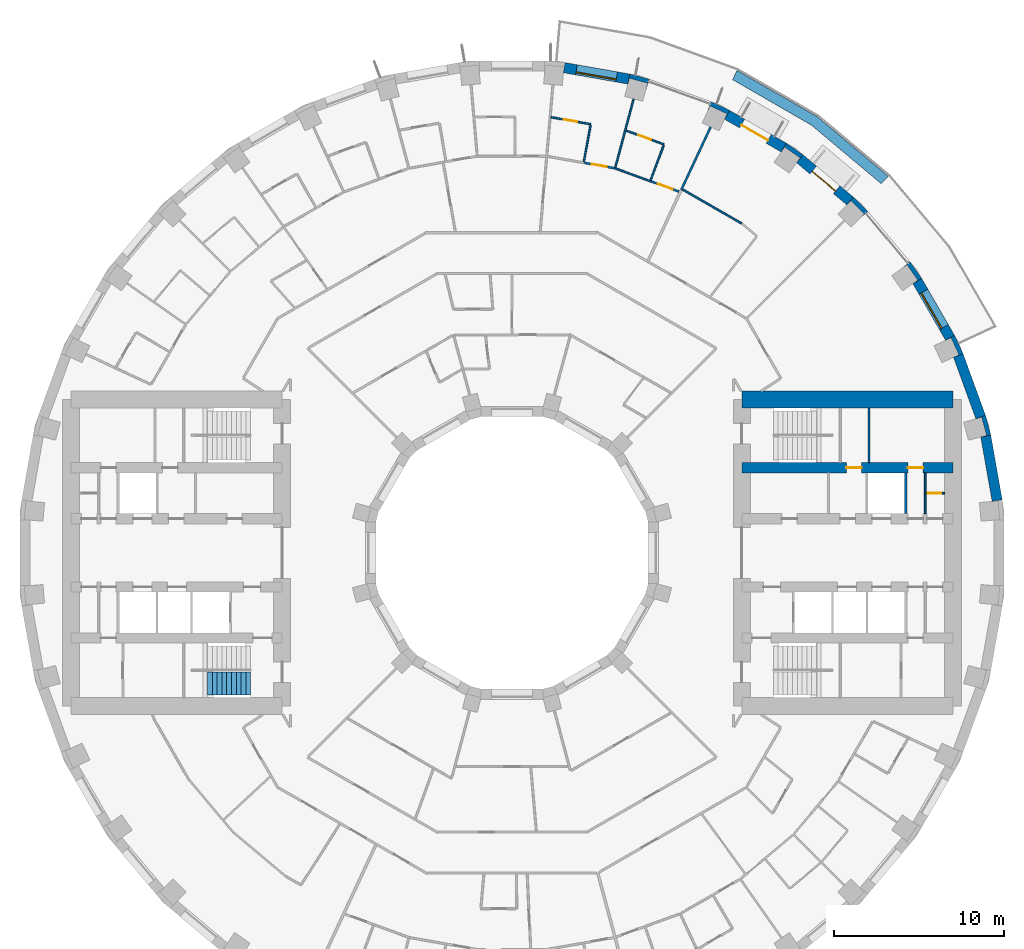
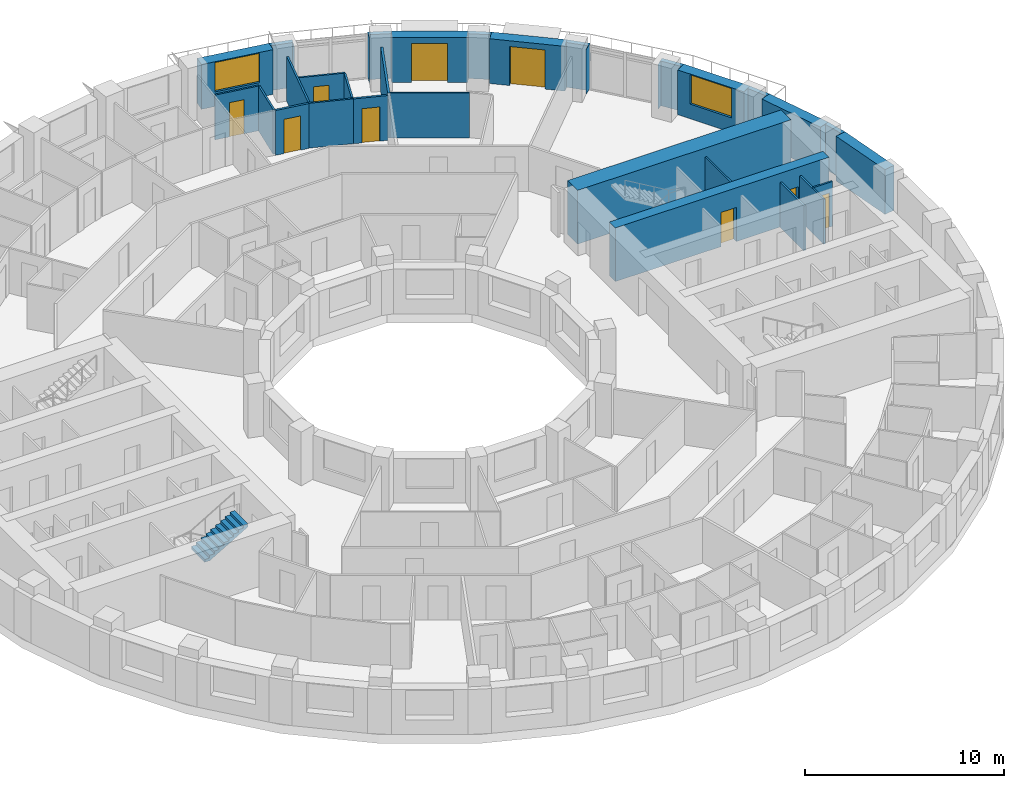
# One storey, part 13 of 15: 30 walls, 9 doors, 2 windows, 1 stair flight, 11 openings, 1 element without a shape of its own.
"""IFC4 building model written with IfcOpenShell, lengths in metres."""

import ifcopenshell
import ifcopenshell.guid

model = None  # the IFC model being written
_history = None  # IfcOwnerHistory: only IFC2X3 demands one
_inside = {}  # id of a spatial element -> (the spatial element, [elements in it])
_under = {}  # id of a project, library or spatial element -> (it, [spatial elements below it])
_declared = {}  # id of a project -> (the project, [libraries it declares])
_typed = {}  # id of a type object -> (the type object, [elements of that type])
_made_of = {}  # id of a material, layer set ... -> (it, [elements and type objects made of it])


def new_model(schema):
    """Start an empty IFC model of exactly this schema.

    Asked for "IFC4X3", IfcOpenShell would pick the latest addendum, in which some entities
    have other attributes; the version numbers below select the first issue.
    IFC2X3 requires an IfcOwnerHistory on every rooted entity: one is made here for all.
    """
    global model, _history
    if schema == "IFC4X3":
        model = ifcopenshell.file(schema_version=(4, 3, 0, 0))
    else:
        model = ifcopenshell.file(schema=schema)
    _inside.clear()
    _under.clear()
    _declared.clear()
    _typed.clear()
    _made_of.clear()
    _history = None
    if model.schema == "IFC2X3":
        org = make("IfcOrganization", Name="unknown")
        user = make(
            "IfcPersonAndOrganization",
            ThePerson=make("IfcPerson", FamilyName="unknown"),
            TheOrganization=org,
        )
        app = make(
            "IfcApplication",
            ApplicationDeveloper=org,
            Version="unknown",
            ApplicationFullName="unknown",
            ApplicationIdentifier="unknown",
        )
        _history = make(
            "IfcOwnerHistory",
            OwningUser=user,
            OwningApplication=app,
            ChangeAction="ADDED",
            CreationDate=0,
        )
    return model


def make(cls, **values):
    """One entity of the class cls with the attributes given. An attribute that is None is left unset."""
    return model.create_entity(
        cls, **{name: value for name, value in values.items() if value is not None}
    )


def rooted(cls, **values):
    """An entity with a GlobalId (a new one), such as an element, a storey or a relation."""
    return make(cls, GlobalId=ifcopenshell.guid.new(), OwnerHistory=_history, **values)


def si_unit(unit_type, name, prefix=None):
    """IfcSIUnit, for example si_unit("LENGTHUNIT", "METRE", prefix="MILLI")."""
    return make("IfcSIUnit", UnitType=unit_type, Prefix=prefix, Name=name)


def assignment(units):
    """IfcUnitAssignment: the units of a project."""
    return None if units is None else make("IfcUnitAssignment", Units=units)


def point(xyz):
    """IfcCartesianPoint."""
    return None if xyz is None else make("IfcCartesianPoint", Coordinates=xyz)


def direction(xyz):
    """IfcDirection."""
    return None if xyz is None else make("IfcDirection", DirectionRatios=xyz)


def frame(location, z_axis=None, x_axis=None):
    """IfcAxis2Placement3D, a coordinate frame: its origin and axes. An axis left out is left unset."""
    return make(
        "IfcAxis2Placement3D",
        Location=point(location),
        Axis=direction(z_axis),
        RefDirection=direction(x_axis),
    )


def frame_2d(location, x_axis=None):
    """IfcAxis2Placement2D, a coordinate frame in the plane: its origin and x axis."""
    return make(
        "IfcAxis2Placement2D", Location=point(location), RefDirection=direction(x_axis)
    )


def origin():
    """The frame at (0, 0, 0) with its axes left unset."""
    return frame((0.0, 0.0, 0.0))


def place(relative_to, where):
    """IfcLocalPlacement: puts the frame where relative to a parent placement (None: the world)."""
    return make(
        "IfcLocalPlacement", PlacementRelTo=relative_to, RelativePlacement=where
    )


def context(
    kind, dimensions, precision=None, world=None, true_north=None, identifier=None
):
    """IfcGeometricRepresentationContext, for example the 3D "Model" context."""
    return make(
        "IfcGeometricRepresentationContext",
        ContextIdentifier=identifier,
        ContextType=kind,
        CoordinateSpaceDimension=dimensions,
        Precision=precision,
        WorldCoordinateSystem=world,
        TrueNorth=true_north,
    )


def subcontext(parent, identifier, kind, view, scale=None):
    """IfcGeometricRepresentationSubContext, for example "Body" below "Model"."""
    return make(
        "IfcGeometricRepresentationSubContext",
        ContextIdentifier=identifier,
        ContextType=kind,
        ParentContext=parent,
        TargetScale=scale,
        TargetView=view,
    )


def project(units=None, contexts=None):
    """IfcProject with its units and contexts."""
    return rooted(
        "IfcProject",
        Name="project",
        RepresentationContexts=contexts,
        UnitsInContext=assignment(units),
    )


def spatial(cls, under=None, at=None, **own):
    """A site, building, storey or space (cls), placed at a placement, below another one or the project."""
    s = rooted(cls, ObjectPlacement=at, **own)
    if under is not None:
        _under.setdefault(under.id(), (under, []))[1].append(s)
    return s


def polyline(points):
    """IfcPolyline through the points."""
    return make("IfcPolyline", Points=[point(p) for p in points])


def profile(cls, at=None, kind="AREA", **sizes):
    """A parametric profile (cls). Its sizes go by their IFC names, for example OverallWidth=200.0."""
    return make(cls, ProfileType=kind, Position=at, **sizes)


def rectangle(**sizes):
    """IfcRectangleProfileDef."""
    return profile("IfcRectangleProfileDef", **sizes)


def outline(outer, holes=None, kind="AREA"):
    """IfcArbitraryClosedProfileDef: a profile drawn as a closed curve; with holes, ...WithVoids."""
    if holes is None:
        return make("IfcArbitraryClosedProfileDef", ProfileType=kind, OuterCurve=outer)
    return make(
        "IfcArbitraryProfileDefWithVoids",
        ProfileType=kind,
        OuterCurve=outer,
        InnerCurves=holes,
    )


def extrude(swept, where, along, depth):
    """IfcExtrudedAreaSolid: the profile swept, set in the frame where, extruded along a direction by depth."""
    return make(
        "IfcExtrudedAreaSolid",
        SweptArea=swept,
        Position=where,
        ExtrudedDirection=direction(along),
        Depth=depth,
    )


def shape(context_of_items, identifier, shape_type, items):
    """IfcShapeRepresentation: the items that make up one representation, for example the "Body"."""
    return make(
        "IfcShapeRepresentation",
        ContextOfItems=context_of_items,
        RepresentationIdentifier=identifier,
        RepresentationType=shape_type,
        Items=items,
    )


def material(Name=None, Category=None):
    """IfcMaterial."""
    return make("IfcMaterial", Name=Name, Category=Category)


def layer(
    of_material, thickness, ventilated=None, Name=None, Category=None, Priority=None
):
    """IfcMaterialLayer: one layer of a wall or slab, of a material (None: an air gap)."""
    return make(
        "IfcMaterialLayer",
        Material=of_material,
        LayerThickness=thickness,
        IsVentilated=ventilated,
        Name=Name,
        Category=Category,
        Priority=Priority,
    )


def layer_set(layers, Name=None):
    """IfcMaterialLayerSet."""
    return make("IfcMaterialLayerSet", MaterialLayers=layers, LayerSetName=Name)


def made_of(thing, what):
    """Note that an element or type object is made of a material, layer set ...; save() writes the relation."""
    if what is not None:
        _made_of.setdefault(what.id(), (what, []))[1].append(thing)
    return thing


def type_object(cls, material=None, **own):
    """A type object (cls), such as IfcWallType, which elements share."""
    return made_of(rooted(cls, **own), material)


def element(
    cls,
    number,
    at=None,
    inside=None,
    cuts=None,
    type_object=None,
    material=None,
    context=None,
    identifier="Body",
    shape_type=None,
    held_by="IfcProductDefinitionShape",
    body=None,
    shapes=None,
    **own,
):
    """One element of the class cls, such as IfcWall. Its Tag is "e" and its number.

    at: its placement. inside: the storey or other place that contains it. cuts: it is an
    opening in that element (IfcRelVoidsElement). A single representation is given by context,
    identifier, shape_type and body (its items); several are given by shapes. held_by: the class
    of the entity that holds the representations. save() writes the other relations.
    """
    e = rooted(cls, Tag="e%d" % number, ObjectPlacement=at, **own)
    if body is not None:
        shapes = [shape(context, identifier, shape_type, body)]
    if shapes is not None:
        e.Representation = make(held_by, Representations=shapes)
    if inside is not None:
        _inside.setdefault(inside.id(), (inside, []))[1].append(e)
    if cuts is not None:
        rooted(
            "IfcRelVoidsElement", RelatingBuildingElement=cuts, RelatedOpeningElement=e
        )
    if type_object is not None:
        _typed.setdefault(type_object.id(), (type_object, []))[1].append(e)
    return made_of(e, material)


def fill(opening, filler):
    """IfcRelFillsElement: the door or window that sits in an opening."""
    return rooted(
        "IfcRelFillsElement",
        RelatingOpeningElement=opening,
        RelatedBuildingElement=filler,
    )


def aggregate(whole, parts):
    """IfcRelAggregates: a whole, such as a stair, and the parts it consists of."""
    return rooted("IfcRelAggregates", RelatingObject=whole, RelatedObjects=parts)


def save(model, path):
    """Write the relations noted so far, then the file.

    IfcRelAggregates (storeys below a building ...), IfcRelContainedInSpatialStructure (elements
    in a storey), IfcRelDefinesByType, IfcRelAssociatesMaterial and IfcRelDeclares: one each for
    every whole, place, type object, material and project.
    """
    for whole, parts in _under.values():
        aggregate(whole, parts)
    for where, things in _inside.values():
        rooted(
            "IfcRelContainedInSpatialStructure",
            RelatedElements=things,
            RelatingStructure=where,
        )
    for kind, things in _typed.values():
        rooted("IfcRelDefinesByType", RelatedObjects=things, RelatingType=kind)
    for what, things in _made_of.values():
        rooted("IfcRelAssociatesMaterial", RelatedObjects=things, RelatingMaterial=what)
    for by, libraries in _declared.values():
        rooted("IfcRelDeclares", RelatingContext=by, RelatedDefinitions=libraries)
    model.write(path)


model = new_model("IFC4")

# Units and contexts
model_context = context("Model", 3, precision=1e-05, world=origin(), true_north=direction((0.0, 1.0)))
body_context = subcontext(model_context, "Body", "Model", "MODEL_VIEW")
ifc_project = project(units=[si_unit("LENGTHUNIT", "METRE"), si_unit("AREAUNIT", "SQUARE_METRE"), si_unit("VOLUMEUNIT", "CUBIC_METRE"), si_unit("PLANEANGLEUNIT", "RADIAN"), si_unit("MASSUNIT", "GRAM", prefix="KILO")], contexts=[model_context])

# Site, building, storey
site_placement = place(None, origin())
site = spatial("IfcSite", under=ifc_project, at=site_placement, CompositionType="ELEMENT")
building_placement = place(site_placement, origin())
building = spatial("IfcBuilding", under=site, at=building_placement, Name="Saqina Gate Tower", CompositionType="ELEMENT")
storey_placement = place(building_placement, frame((0.0, 0.0, 72.5)))
storey = spatial("IfcBuildingStorey", under=building, at=storey_placement, Name="L20", CompositionType="ELEMENT", Elevation=72.5)

# Walls
ifc_material_1 = material(Name="Brick masonry (red)", Category="masonry")
wall_type_1 = type_object("IfcWallType", Name="BRICK PIER COPING RED", PredefinedType="SOLIDWALL", material=ifc_material_1)
wall_1_placement = place(storey_placement, origin())
element("IfcWall", 1, at=wall_1_placement, inside=storey, type_object=wall_type_1, Name="Pier cap L20 column 2", PredefinedType="SOLIDWALL", context=body_context, shape_type="SweptSolid", body=[
    extrude(outline(polyline([(28.11669921875, 6.910400390625), (27.80517578125, 8.073974609375), (27.2412109375, 7.86865234375), (27.57958984375, 7.95947265625), (27.864501953125, 6.896728515625), (27.52587890625, 6.80615234375), (28.11669921875, 6.910400390625)])), origin(), (0.0, 0.0, 1.0), 2.75),
])
wall_2_placement = place(storey_placement, origin())
element("IfcWall", 2, at=wall_2_placement, inside=storey, type_object=wall_type_1, Name="Pier cap L20 column 3", PredefinedType="SOLIDWALL", context=body_context, shape_type="SweptSolid", body=[
    extrude(outline(polyline([(25.980712890625, 12.779541015625), (25.4609375, 12.4794921875), (25.778564453125, 12.627685546875), (26.243408203125, 11.630615234375), (25.92578125, 11.482666015625), (26.48974609375, 11.687744140625), (25.980712890625, 12.779541015625)])), origin(), (0.0, 0.0, 1.0), 2.75),
])
wall_3_placement = place(storey_placement, origin())
element("IfcWall", 3, at=wall_3_placement, inside=storey, type_object=wall_type_1, Name="Pier cap L20 column 4", PredefinedType="SOLIDWALL", context=body_context, shape_type="SweptSolid", body=[
    extrude(outline(polyline([(24.0576171875, 16.110107421875), (23.36669921875, 17.096923828125), (22.9072265625, 16.711181640625), (23.194091796875, 16.912109375), (23.8251953125, 16.010986328125), (23.5380859375, 15.81005859375), (24.0576171875, 16.110107421875)])), origin(), (0.0, 0.0, 1.0), 2.75),
])
wall_4_placement = place(storey_placement, origin())
element("IfcWall", 4, at=wall_4_placement, inside=storey, type_object=wall_type_1, Name="Pier cap L20 column 5", PredefinedType="SOLIDWALL", context=body_context, shape_type="SweptSolid", body=[
    extrude(outline(polyline([(20.04296875, 20.894775390625), (19.6572265625, 20.43505859375), (19.905029296875, 20.682861328125), (20.682861328125, 19.905029296875), (20.43505859375, 19.6572265625), (20.894775390625, 20.04296875), (20.04296875, 20.894775390625)])), origin(), (0.0, 0.0, 1.0), 2.75),
])
wall_5_placement = place(storey_placement, origin())
element("IfcWall", 5, at=wall_5_placement, inside=storey, type_object=wall_type_1, Name="Pier cap L20 column 6", PredefinedType="SOLIDWALL", context=body_context, shape_type="SweptSolid", body=[
    extrude(outline(polyline([(17.096923828125, 23.36669921875), (16.110107421875, 24.0576171875), (15.81005859375, 23.5380859375), (16.010986328125, 23.8251953125), (16.912109375, 23.194091796875), (16.711181640625, 22.9072265625), (17.096923828125, 23.36669921875)])), origin(), (0.0, 0.0, 1.0), 2.75),
])
wall_6_placement = place(storey_placement, origin())
element("IfcWall", 6, at=wall_6_placement, inside=storey, type_object=wall_type_1, Name="Pier cap L20 column 7", PredefinedType="SOLIDWALL", context=body_context, shape_type="SweptSolid", body=[
    extrude(outline(polyline([(11.687744140625, 26.48974609375), (11.482666015625, 25.92578125), (11.630615234375, 26.243408203125), (12.627685546875, 25.778564453125), (12.4794921875, 25.4609375), (12.779541015625, 25.980712890625), (11.687744140625, 26.48974609375)])), origin(), (0.0, 0.0, 1.0), 2.75),
])
wall_7_placement = place(storey_placement, origin())
element("IfcWall", 7, at=wall_7_placement, inside=storey, type_object=wall_type_1, Name="Pier cap L20 column 8", PredefinedType="SOLIDWALL", context=body_context, shape_type="SweptSolid", body=[
    extrude(outline(polyline([(6.910400390625, 28.11669921875), (6.80615234375, 27.52587890625), (6.896728515625, 27.864501953125), (7.95947265625, 27.57958984375), (7.86865234375, 27.2412109375), (8.073974609375, 27.80517578125), (6.910400390625, 28.11669921875)])), origin(), (0.0, 0.0, 1.0), 2.75),
])
ifc_material_2 = material(Name="Gypsum board on steel studs", Category="steel")
ifc_layer_1 = layer(ifc_material_2, 0.10009765625)
ifc_layer_set_1 = layer_set([ifc_layer_1], Name="CORE PARTITION")
wall_type_2 = type_object("IfcWallType", Name="CORE PARTITION", PredefinedType="PARTITIONING", material=ifc_layer_set_1)
wall_8_placement = place(storey_placement, frame((24.260009765625, 2.300048828125, 0.0), z_axis=(0.0, 0.0, 1.0), x_axis=(0.0, 1.0, 0.0)))
element("IfcWall", 8, at=wall_8_placement, inside=storey, type_object=wall_type_2, Name="L20-CP-E04", PredefinedType="PARTITIONING", context=body_context, shape_type="SweptSolid", body=[
    extrude(rectangle(XDim=2.39990234375, YDim=0.10009765625, at=frame_2d((1.199951171875, 0.0))), origin(), (0.0, 0.0, 1.0), 2.75),
])

# Wall, opening, door
wall_9_placement = place(storey_placement, frame((24.260009765625, 3.5, 0.0), z_axis=(0.0, 0.0, 1.0), x_axis=(1.0, 0.0, 0.0)))
wall_9 = element("IfcWall", 9, at=wall_9_placement, inside=storey, type_object=wall_type_2, Name="L20-CP-E10", PredefinedType="PARTITIONING", context=body_context, shape_type="SweptSolid", body=[
    extrude(rectangle(XDim=1.139892578125, YDim=0.10009765625, at=frame_2d((0.56982421875, 0.0))), origin(), (0.0, 0.0, 1.0), 2.75),
])
opening_1_placement = place(wall_9_placement, frame((0.14990234375, 0.0, 0.0)))
opening_1 = element("IfcOpeningElement", 10, at=opening_1_placement, cuts=wall_9, Name="Opening G05-D97", PredefinedType="OPENING", context=body_context, shape_type="SweptSolid", body=[
    extrude(rectangle(XDim=0.800048828125, YDim=2.10009765625, at=frame_2d((0.39990234375, 1.050048828125))), frame((0.0, 0.06201171875, 0.0), z_axis=(0.0, -1.0, 0.0), x_axis=(1.0, 0.0, 0.0)), (0.0, 0.0, 1.0), 0.1240234375),
])
ifc_material_3 = material(Name="Steel-framed fire door leaf, EI 60", Category="steel")
door_type_1 = type_object("IfcDoorType", Name="SERVICE ROOM DOOR 800", OperationType="SINGLE_SWING_LEFT", PredefinedType="DOOR", material=ifc_material_3)
door_1_placement = place(opening_1_placement, origin())
door_1 = element("IfcDoor", 11, at=door_1_placement, inside=storey, type_object=door_type_1, Name="L20-CD-E08", OperationType="SINGLE_SWING_RIGHT", OverallHeight=2.10009765625, OverallWidth=0.800048828125, PredefinedType="DOOR", context=body_context, shape_type="SweptSolid", body=[
    extrude(rectangle(XDim=0.800048828125, YDim=2.10009765625, at=frame_2d((0.39990234375, 1.050048828125))), frame((0.0, 0.02490234375, 0.0), z_axis=(0.0, -1.0, 0.0), x_axis=(1.0, 0.0, 0.0)), (0.0, 0.0, 1.0), 0.050048828125),
])
fill(opening_1, door_1)

# Wall
wall_10_placement = place(storey_placement, frame((20.961669921875, 5.300048828125, 0.0), z_axis=(0.0, 0.0, 1.0), x_axis=(0.0, 1.0, 0.0)))
element("IfcWall", 12, at=wall_10_placement, inside=storey, type_object=wall_type_2, Name="L20-CP-E12", PredefinedType="PARTITIONING", context=body_context, shape_type="SweptSolid", body=[
    extrude(rectangle(XDim=3.199951171875, YDim=0.10009765625, at=frame_2d((1.60009765625, 0.0))), origin(), (0.0, 0.0, 1.0), 2.75),
])

# Wall, opening, window
ifc_material_4 = material(Name="Brick masonry (red)", Category="masonry")
ifc_layer_2 = layer(ifc_material_4, 0.60009765625)
ifc_layer_set_2 = layer_set([ifc_layer_2], Name="FW-BRICK-RED")
wall_type_3 = type_object("IfcWallType", Name="FW-BRICK-RED", PredefinedType="SOLIDWALL", material=ifc_layer_set_2)
wall_11_placement = place(storey_placement, frame((25.720703125, 12.629638671875, 0.0), z_axis=(0.0, 0.0, 1.0), x_axis=(-0.499989888488, 0.86603124159, 0.0)))
wall_11 = element("IfcWall", 13, at=wall_11_placement, inside=storey, type_object=wall_type_3, Name="Facade wall L20 facet 3", PredefinedType="SOLIDWALL", context=body_context, shape_type="SweptSolid", body=[
    extrude(rectangle(XDim=3.845703125, YDim=0.60009765625, at=frame_2d((1.9228515625, 0.0))), origin(), (0.0, 0.0, 1.0), 2.75),
])
opening_2_placement = place(wall_11_placement, frame((0.722900390625, 0.0, 0.89990234375)))
opening_2 = element("IfcOpeningElement", 14, at=opening_2_placement, cuts=wall_11, Name="Opening G05-W01", PredefinedType="OPENING", context=body_context, shape_type="SweptSolid", body=[
    extrude(rectangle(XDim=2.39990234375, YDim=1.800048828125, at=frame_2d((1.199951171875, 0.89990234375))), frame((0.0, 0.31201171875, 0.0), z_axis=(0.0, -1.0, 0.0), x_axis=(1.0, 0.0, 0.0)), (0.0, 0.0, 1.0), 0.6240234375),
])
ifc_material_5 = material(Name="Aluminium glazing", Category="aluminium")
window_type = type_object("IfcWindowType", Name="WN-A", PartitioningType="SINGLE_PANEL", PredefinedType="WINDOW", material=ifc_material_5)
window_1_placement = place(opening_2_placement, origin())
window_1 = element("IfcWindow", 15, at=window_1_placement, inside=storey, type_object=window_type, Name="Window L20 facet 3", OverallHeight=1.800048828125, OverallWidth=2.39990234375, PartitioningType="SINGLE_PANEL", PredefinedType="WINDOW", context=body_context, shape_type="SweptSolid", body=[
    extrude(rectangle(XDim=2.39990234375, YDim=1.800048828125, at=frame_2d((1.199951171875, 0.89990234375))), frame((0.0, 0.179931640625, 0.0), z_axis=(0.0, -1.0, 0.0), x_axis=(1.0, 0.0, 0.0)), (0.0, 0.0, 1.0), 0.06005859375),
])
fill(opening_2, window_1)

# Wall, opening, door
wall_12_placement = place(storey_placement, frame((19.85009765625, 20.664794921875, 0.0), z_axis=(0.0, 0.0, 1.0), x_axis=(-0.766026164483, 0.642809392687, 0.0)))
wall_12 = element("IfcWall", 16, at=wall_12_placement, inside=storey, type_object=wall_type_3, Name="Facade wall L20 facet 5", PredefinedType="SOLIDWALL", context=body_context, shape_type="SweptSolid", body=[
    extrude(rectangle(XDim=3.845947265625, YDim=0.60009765625, at=frame_2d((1.9228515625, 0.0))), origin(), (0.0, 0.0, 1.0), 2.75),
])
opening_3_placement = place(wall_12_placement, frame((1.02294921875, 0.0, 0.0)))
opening_3 = element("IfcOpeningElement", 17, at=opening_3_placement, cuts=wall_12, Name="Opening G05-D80", PredefinedType="OPENING", context=body_context, shape_type="SweptSolid", body=[
    extrude(rectangle(XDim=1.800048828125, YDim=2.39990234375, at=frame_2d((0.89990234375, 1.199951171875))), frame((0.0, 0.31201171875, 0.0), z_axis=(0.0, -1.0, 0.0), x_axis=(1.0, 0.0, 0.0)), (0.0, 0.0, 1.0), 0.6240234375),
])
ifc_material_6 = material(Name="Aluminium glazing", Category="aluminium")
door_type_2 = type_object("IfcDoorType", Name="GD-A", OperationType="DOUBLE_DOOR_SINGLE_SWING", PredefinedType="DOOR", material=ifc_material_6)
door_2_placement = place(opening_3_placement, frame((1.800048828125, 0.0, 0.0), z_axis=(0.0, 0.0, 1.0), x_axis=(-1.0, 0.0, 0.0)))
door_2 = element("IfcDoor", 18, at=door_2_placement, inside=storey, type_object=door_type_2, Name="Terrace door L20 facet 5", OperationType="DOUBLE_DOOR_SINGLE_SWING", OverallHeight=2.39990234375, OverallWidth=1.800048828125, PredefinedType="DOOR", context=body_context, shape_type="SweptSolid", body=[
    extrude(rectangle(XDim=1.800048828125, YDim=2.39990234375, at=frame_2d((0.89990234375, 1.199951171875))), frame((0.0, -0.0751953125, 0.0), z_axis=(0.0, -1.0, 0.0), x_axis=(1.0, 0.0, 0.0)), (0.0, 0.0, 1.0), 0.050048828125),
])
fill(opening_3, door_2)

wall_13_placement = place(storey_placement, frame((15.960205078125, 23.7978515625, 0.0), z_axis=(0.0, 0.0, 1.0), x_axis=(-0.86603124159, 0.499989888488, 0.0)))
wall_13 = element("IfcWall", 19, at=wall_13_placement, inside=storey, type_object=wall_type_3, Name="Facade wall L20 facet 6", PredefinedType="SOLIDWALL", context=body_context, shape_type="SweptSolid", body=[
    extrude(rectangle(XDim=3.845703125, YDim=0.60009765625, at=frame_2d((1.9228515625, 0.0))), origin(), (0.0, 0.0, 1.0), 2.75),
])
opening_4_placement = place(wall_13_placement, frame((1.02294921875, 0.0, 0.0)))
opening_4 = element("IfcOpeningElement", 20, at=opening_4_placement, cuts=wall_13, Name="Opening G05-D81", PredefinedType="OPENING", context=body_context, shape_type="SweptSolid", body=[
    extrude(rectangle(XDim=1.800048828125, YDim=2.39990234375, at=frame_2d((0.89990234375, 1.199951171875))), frame((0.0, 0.31201171875, 0.0), z_axis=(0.0, -1.0, 0.0), x_axis=(1.0, 0.0, 0.0)), (0.0, 0.0, 1.0), 0.6240234375),
])
door_3_placement = place(opening_4_placement, frame((1.800048828125, 0.0, 0.0), z_axis=(0.0, 0.0, 1.0), x_axis=(-1.0, 0.0, 0.0)))
door_3 = element("IfcDoor", 21, at=door_3_placement, inside=storey, type_object=door_type_2, Name="Terrace door L20 facet 6", OperationType="DOUBLE_DOOR_SINGLE_SWING", OverallHeight=2.39990234375, OverallWidth=1.800048828125, PredefinedType="DOOR", context=body_context, shape_type="SweptSolid", body=[
    extrude(rectangle(XDim=1.800048828125, YDim=2.39990234375, at=frame_2d((0.89990234375, 1.199951171875))), frame((0.0, -0.0751953125, 0.0), z_axis=(0.0, -1.0, 0.0), x_axis=(1.0, 0.0, 0.0)), (0.0, 0.0, 1.0), 0.050048828125),
])
fill(opening_4, door_3)

# Wall, opening, window
wall_14_placement = place(storey_placement, frame((6.858154296875, 27.8212890625, 0.0), z_axis=(0.0, 0.0, 1.0), x_axis=(-0.984800809218, 0.173687553279, 0.0)))
wall_14 = element("IfcWall", 22, at=wall_14_placement, inside=storey, type_object=wall_type_3, Name="Facade wall L20 facet 8", PredefinedType="SOLIDWALL", context=body_context, shape_type="SweptSolid", body=[
    extrude(rectangle(XDim=3.845703125, YDim=0.60009765625, at=frame_2d((1.9228515625, 0.0))), origin(), (0.0, 0.0, 1.0), 2.75),
])
opening_5_placement = place(wall_14_placement, frame((0.722900390625, 0.0, 0.89990234375)))
opening_5 = element("IfcOpeningElement", 23, at=opening_5_placement, cuts=wall_14, Name="Opening G05-W02", PredefinedType="OPENING", context=body_context, shape_type="SweptSolid", body=[
    extrude(rectangle(XDim=2.39990234375, YDim=1.800048828125, at=frame_2d((1.199951171875, 0.89990234375))), frame((0.0, 0.31201171875, 0.0), z_axis=(0.0, -1.0, 0.0), x_axis=(1.0, 0.0, 0.0)), (0.0, 0.0, 1.0), 0.6240234375),
])
window_2_placement = place(opening_5_placement, origin())
window_2 = element("IfcWindow", 24, at=window_2_placement, inside=storey, type_object=window_type, Name="Window L20 facet 8", OverallHeight=1.800048828125, OverallWidth=2.39990234375, PartitioningType="SINGLE_PANEL", PredefinedType="WINDOW", context=body_context, shape_type="SweptSolid", body=[
    extrude(rectangle(XDim=2.39990234375, YDim=1.800048828125, at=frame_2d((1.199951171875, 0.89990234375))), frame((0.0, 0.179931640625, 0.0), z_axis=(0.0, -1.0, 0.0), x_axis=(1.0, 0.0, 0.0)), (0.0, 0.0, 1.0), 0.06005859375),
])
fill(opening_5, window_2)

# Walls
ifc_material_7 = material(Name="Glazed ceramic tile", Category="ceramic")
ifc_layer_3 = layer(ifc_material_7, 0.60009765625)
ifc_layer_set_3 = layer_set([ifc_layer_3], Name="FW-TILE")
wall_type_4 = type_object("IfcWallType", Name="FW-TILE", PredefinedType="SOLIDWALL", material=ifc_layer_set_3)
wall_15_placement = place(storey_placement, frame((28.4892578125, 3.07080078125, 0.0), z_axis=(0.0, 0.0, 1.0), x_axis=(-0.173687553279, 0.984800809218, 0.0)))
element("IfcWall", 25, at=wall_15_placement, inside=storey, type_object=wall_type_4, Name="Facade wall L20 facet 1", PredefinedType="SOLIDWALL", context=body_context, shape_type="SweptSolid", body=[
    extrude(rectangle(XDim=3.845703125, YDim=0.60009765625, at=frame_2d((1.9228515625, 0.0))), origin(), (0.0, 0.0, 1.0), 2.75),
])
ifc_material_8 = material(Name="Glazed ceramic tile (dark blue)", Category="ceramic")
ifc_layer_4 = layer(ifc_material_8, 0.60009765625)
ifc_layer_set_4 = layer_set([ifc_layer_4], Name="FW-TILE-CB")
wall_type_5 = type_object("IfcWallType", Name="FW-TILE-CB", PredefinedType="SOLIDWALL", material=ifc_layer_set_4)
wall_16_placement = place(storey_placement, frame((27.523193359375, 7.97119140625, 0.0), z_axis=(0.0, 0.0, 1.0), x_axis=(-0.342028474173, 0.939689588564, 0.0)))
element("IfcWall", 26, at=wall_16_placement, inside=storey, type_object=wall_type_5, Name="Facade wall L20 facet 2", PredefinedType="SOLIDWALL", context=body_context, shape_type="SweptSolid", body=[
    extrude(rectangle(XDim=3.845947265625, YDim=0.60009765625, at=frame_2d((1.9228515625, 0.0))), origin(), (0.0, 0.0, 1.0), 2.75),
])
ifc_material_9 = material(Name="Gypsum board on steel studs, 100 mm", Category="steel")
ifc_layer_5 = layer(ifc_material_9, 0.10009765625)
ifc_layer_set_5 = layer_set([ifc_layer_5], Name="PARTITION 100")
wall_type_6 = type_object("IfcWallType", Name="PARTITION 100", PredefinedType="PARTITIONING", material=ifc_layer_set_5)
wall_17_placement = place(storey_placement, frame((10.030029296875, 21.33251953125, 0.0), z_axis=(0.0, 0.0, 1.0), x_axis=(0.866067260862, -0.499927494405, 0.0)))
element("IfcWall", 27, at=wall_17_placement, inside=storey, type_object=wall_type_6, Name="PARTITION PW3-47", PredefinedType="PARTITIONING", context=body_context, shape_type="SweptSolid", body=[
    extrude(rectangle(XDim=3.9853515625, YDim=0.10009765625, at=frame_2d((1.99267578125, 0.0))), origin(), (0.0, 0.0, 1.0), 2.75),
])
wall_18_placement = place(storey_placement, frame((6.003173828125, 22.599365234375, 0.0), z_axis=(0.0, 0.0, 1.0), x_axis=(0.939700645731, -0.341998094165, 0.0)))
element("IfcWall", 28, at=wall_18_placement, inside=storey, type_object=wall_type_6, Name="PARTITION PW3-52", PredefinedType="PARTITIONING", context=body_context, shape_type="SweptSolid", body=[
    extrude(rectangle(XDim=2.3056640625, YDim=0.10009765625, at=frame_2d((1.15283203125, 0.0))), origin(), (0.0, 0.0, 1.0), 2.75),
])

# Wall, opening, door
wall_19_placement = place(storey_placement, frame((6.695068359375, 24.794921875, 0.0), z_axis=(0.0, 0.0, 1.0), x_axis=(0.939643152994, -0.342156024399, 0.0)))
wall_19 = element("IfcWall", 29, at=wall_19_placement, inside=storey, type_object=wall_type_6, Name="PARTITION PW3-53", PredefinedType="PARTITIONING", context=body_context, shape_type="SweptSolid", body=[
    extrude(rectangle(XDim=2.373291015625, YDim=0.10009765625, at=frame_2d((1.1865234375, 0.0))), origin(), (0.0, 0.0, 1.0), 2.75),
])
opening_6_placement = place(wall_19_placement, frame((0.76171875, 0.0, 0.0)))
opening_6 = element("IfcOpeningElement", 30, at=opening_6_placement, cuts=wall_19, Name="Opening G05-D07", PredefinedType="OPENING", context=body_context, shape_type="SweptSolid", body=[
    extrude(rectangle(XDim=0.800048828125, YDim=2.10009765625, at=frame_2d((0.39990234375, 1.050048828125))), frame((0.0, 0.06201171875, 0.0), z_axis=(0.0, -1.0, 0.0), x_axis=(1.0, 0.0, 0.0)), (0.0, 0.0, 1.0), 0.1240234375),
])
ifc_material_10 = material(Name="Timber door leaf, 800 mm", Category="wood")
door_type_3 = type_object("IfcDoorType", Name="DOOR 800 TIMBER", OperationType="SINGLE_SWING_LEFT", PredefinedType="DOOR", material=ifc_material_10)
door_4_placement = place(opening_6_placement, origin())
door_4 = element("IfcDoor", 31, at=door_4_placement, inside=storey, type_object=door_type_3, Name="DOOR G05-D07", OperationType="SINGLE_SWING_LEFT", OverallHeight=2.10009765625, OverallWidth=0.800048828125, PredefinedType="DOOR", context=body_context, shape_type="SweptSolid", body=[
    extrude(rectangle(XDim=0.800048828125, YDim=2.10009765625, at=frame_2d((0.39990234375, 1.050048828125))), frame((0.0, 0.02490234375, 0.0), z_axis=(0.0, -1.0, 0.0), x_axis=(1.0, 0.0, 0.0)), (0.0, 0.0, 1.0), 0.050048828125),
])
fill(opening_6, door_4)

wall_20_placement = place(storey_placement, frame((2.28857421875, 25.581298828125, 0.0), z_axis=(0.0, 0.0, 1.0), x_axis=(0.984780450856, -0.173802944775, 0.0)))
wall_20 = element("IfcWall", 32, at=wall_20_placement, inside=storey, type_object=wall_type_6, Name="PARTITION PW3-57", PredefinedType="PARTITIONING", context=body_context, shape_type="SweptSolid", body=[
    extrude(rectangle(XDim=2.37255859375, YDim=0.10009765625, at=frame_2d((1.186279296875, 0.0))), origin(), (0.0, 0.0, 1.0), 2.75),
])
opening_7_placement = place(wall_20_placement, frame((0.76123046875, 0.0, 0.0)))
opening_7 = element("IfcOpeningElement", 33, at=opening_7_placement, cuts=wall_20, Name="Opening G05-D09", PredefinedType="OPENING", context=body_context, shape_type="SweptSolid", body=[
    extrude(rectangle(XDim=0.800048828125, YDim=2.10009765625, at=frame_2d((0.39990234375, 1.050048828125))), frame((0.0, 0.06201171875, 0.0), z_axis=(0.0, -1.0, 0.0), x_axis=(1.0, 0.0, 0.0)), (0.0, 0.0, 1.0), 0.1240234375),
])
door_5_placement = place(opening_7_placement, origin())
door_5 = element("IfcDoor", 34, at=door_5_placement, inside=storey, type_object=door_type_3, Name="DOOR G05-D09", OperationType="SINGLE_SWING_LEFT", OverallHeight=2.10009765625, OverallWidth=0.800048828125, PredefinedType="DOOR", context=body_context, shape_type="SweptSolid", body=[
    extrude(rectangle(XDim=0.800048828125, YDim=2.10009765625, at=frame_2d((0.39990234375, 1.050048828125))), frame((0.0, 0.02490234375, 0.0), z_axis=(0.0, -1.0, 0.0), x_axis=(1.0, 0.0, 0.0)), (0.0, 0.0, 1.0), 0.050048828125),
])
fill(opening_7, door_5)

# Walls
wall_21_placement = place(storey_placement, frame((8.144775390625, 21.886474609375, 0.0), z_axis=(0.0, 0.0, 1.0), x_axis=(0.348761078078, 0.937211667884, 0.0)))
element("IfcWall", 35, at=wall_21_placement, inside=storey, type_object=wall_type_6, Name="PARTITION PW3-102", PredefinedType="PARTITIONING", context=body_context, shape_type="SweptSolid", body=[
    extrude(rectangle(XDim=2.186767578125, YDim=0.10009765625, at=frame_2d((1.09326171875, 0.0))), origin(), (0.0, 0.0, 1.0), 2.75),
])
wall_22_placement = place(storey_placement, frame((6.067138671875, 22.642333984375, 0.0), z_axis=(0.0, 0.0, 1.0), x_axis=(0.258618430752, 0.965979558415, 0.0)))
element("IfcWall", 36, at=wall_22_placement, inside=storey, type_object=wall_type_6, Name="PARTITION PW3-105", PredefinedType="PARTITIONING", context=body_context, shape_type="SweptSolid", body=[
    extrude(rectangle(XDim=4.14892578125, YDim=0.10009765625, at=frame_2d((2.074462890625, 0.0))), origin(), (0.0, 0.0, 1.0), 2.75),
])
wall_23_placement = place(storey_placement, frame((4.22021484375, 22.968505859375, 0.0), z_axis=(0.0, 0.0, 1.0), x_axis=(0.180918125104, 0.983498160653, 0.0)))
element("IfcWall", 37, at=wall_23_placement, inside=storey, type_object=wall_type_6, Name="PARTITION PW3-108", PredefinedType="PARTITIONING", context=body_context, shape_type="SweptSolid", body=[
    extrude(rectangle(XDim=2.1875, YDim=0.10009765625, at=frame_2d((1.09375, 0.0))), origin(), (0.0, 0.0, 1.0), 2.75),
])

# Wall, opening, door
ifc_material_11 = material(Name="Gypsum board on steel studs, 125 mm, fire rated", Category="steel")
ifc_layer_6 = layer(ifc_material_11, 0.125)
ifc_layer_set_6 = layer_set([ifc_layer_6], Name="PARTITION EI 30 125")
wall_type_7 = type_object("IfcWallType", Name="PARTITION EI 30 125", PredefinedType="PARTITIONING", material=ifc_layer_set_6)
wall_24_placement = place(storey_placement, frame((8.169921875, 21.810791015625, 0.0), z_axis=(0.0, 0.0, 1.0), x_axis=(0.939621739114, -0.342214826366, 0.0)))
wall_24 = element("IfcWall", 38, at=wall_24_placement, inside=storey, type_object=wall_type_7, Name="PARTITION PW1-17", PredefinedType="PARTITIONING", context=body_context, shape_type="SweptSolid", body=[
    extrude(rectangle(XDim=1.7451171875, YDim=0.125, at=frame_2d((0.87255859375, 0.0))), origin(), (0.0, 0.0, 1.0), 2.75),
])
opening_8_placement = place(wall_24_placement, frame((0.43505859375, 0.0, 0.0)))
opening_8 = element("IfcOpeningElement", 39, at=opening_8_placement, cuts=wall_24, Name="Opening G05-D06", PredefinedType="OPENING", context=body_context, shape_type="SweptSolid", body=[
    extrude(rectangle(XDim=0.89990234375, YDim=2.10009765625, at=frame_2d((0.449951171875, 1.050048828125))), frame((0.0, 0.074462890625, 0.0), z_axis=(0.0, -1.0, 0.0), x_axis=(1.0, 0.0, 0.0)), (0.0, 0.0, 1.0), 0.14892578125),
])
ifc_material_12 = material(Name="Fire door leaf EI 30, 900 mm")
door_type_4 = type_object("IfcDoorType", Name="DOOR 900 EI 30", OperationType="SINGLE_SWING_LEFT", PredefinedType="DOOR", material=ifc_material_12)
door_6_placement = place(opening_8_placement, frame((0.89990234375, 0.0, 0.0), z_axis=(0.0, 0.0, 1.0), x_axis=(-1.0, 0.0, 0.0)))
door_6 = element("IfcDoor", 40, at=door_6_placement, inside=storey, type_object=door_type_4, Name="DOOR G05-D06", OperationType="SINGLE_SWING_LEFT", OverallHeight=2.10009765625, OverallWidth=0.89990234375, PredefinedType="DOOR", context=body_context, shape_type="SweptSolid", body=[
    extrude(rectangle(XDim=0.89990234375, YDim=2.10009765625, at=frame_2d((0.449951171875, 1.050048828125))), frame((0.0, 0.02490234375, 0.0), z_axis=(0.0, -1.0, 0.0), x_axis=(1.0, 0.0, 0.0)), (0.0, 0.0, 1.0), 0.050048828125),
])
fill(opening_8, door_6)

wall_25_placement = place(storey_placement, frame((4.25830078125, 22.898193359375, 0.0), z_axis=(0.0, 0.0, 1.0), x_axis=(0.984787723486, -0.173761732473, 0.0)))
wall_25 = element("IfcWall", 41, at=wall_25_placement, inside=storey, type_object=wall_type_7, Name="PARTITION PW1-19", PredefinedType="PARTITIONING", context=body_context, shape_type="SweptSolid", body=[
    extrude(rectangle(XDim=1.770263671875, YDim=0.125, at=frame_2d((0.88525390625, 0.0))), origin(), (0.0, 0.0, 1.0), 2.75),
])
opening_9_placement = place(wall_25_placement, frame((0.435302734375, 0.0, 0.0)))
opening_9 = element("IfcOpeningElement", 42, at=opening_9_placement, cuts=wall_25, Name="Opening G05-D08", PredefinedType="OPENING", context=body_context, shape_type="SweptSolid", body=[
    extrude(rectangle(XDim=0.89990234375, YDim=2.10009765625, at=frame_2d((0.449951171875, 1.050048828125))), frame((0.0, 0.074462890625, 0.0), z_axis=(0.0, -1.0, 0.0), x_axis=(1.0, 0.0, 0.0)), (0.0, 0.0, 1.0), 0.14892578125),
])
door_7_placement = place(opening_9_placement, frame((0.89990234375, 0.0, 0.0), z_axis=(0.0, 0.0, 1.0), x_axis=(-1.0, 0.0, 0.0)))
door_7 = element("IfcDoor", 43, at=door_7_placement, inside=storey, type_object=door_type_4, Name="DOOR G05-D08", OperationType="SINGLE_SWING_LEFT", OverallHeight=2.10009765625, OverallWidth=0.89990234375, PredefinedType="DOOR", context=body_context, shape_type="SweptSolid", body=[
    extrude(rectangle(XDim=0.89990234375, YDim=2.10009765625, at=frame_2d((0.449951171875, 1.050048828125))), frame((0.0, 0.02490234375, 0.0), z_axis=(0.0, -1.0, 0.0), x_axis=(1.0, 0.0, 0.0)), (0.0, 0.0, 1.0), 0.050048828125),
])
fill(opening_9, door_7)

# Walls
wall_26_placement = place(storey_placement, frame((9.9384765625, 21.313232421875, 0.0), z_axis=(0.0, 0.0, 1.0), x_axis=(0.42349236443, 0.90589967285, 0.0)))
element("IfcWall", 44, at=wall_26_placement, inside=storey, type_object=wall_type_7, Name="PARTITION PW1-52", PredefinedType="PARTITIONING", context=body_context, shape_type="SweptSolid", body=[
    extrude(rectangle(XDim=4.073486328125, YDim=0.125, at=frame_2d((2.03662109375, 0.0))), origin(), (0.0, 0.0, 1.0), 2.75),
])
ifc_material_13 = material(Name="Brick masonry (red)", Category="masonry")
ifc_layer_7 = layer(ifc_material_13, 0.60009765625)
ifc_layer_set_7 = layer_set([ifc_layer_7], Name="PL-PLANTER")
wall_type_8 = type_object("IfcWallType", Name="PL-PLANTER", PredefinedType="PARAPET", material=ifc_layer_set_7)
wall_27_placement = place(storey_placement, origin())
element("IfcWall", 45, at=wall_27_placement, inside=storey, type_object=wall_type_8, Name="Planter L20", PredefinedType="PARAPET", context=body_context, shape_type="SweptSolid", body=[
    extrude(outline(polyline([(22.103271484375, 22.103271484375), (17.92919921875, 25.60546875), (13.21044921875, 28.329833984375), (12.955810546875, 27.783935546875), (17.583740234375, 25.1123046875), (21.67724609375, 21.67724609375), (22.103271484375, 22.103271484375)])), origin(), (0.0, 0.0, 1.0), 0.5),
])
ifc_material_14 = material(Name="Autoclaved aerated concrete block", Category="concrete")
ifc_layer_8 = layer(ifc_material_14, 0.1201171875)
ifc_layer_set_8 = layer_set([ifc_layer_8], Name="SHAFT PARTITION")
wall_type_9 = type_object("IfcWallType", Name="SHAFT PARTITION", PredefinedType="PARTITIONING", material=ifc_layer_set_8)
wall_28_placement = place(storey_placement, frame((23.1201171875, 2.300048828125, 0.0), z_axis=(0.0, 0.0, 1.0), x_axis=(0.0, 1.0, 0.0)))
element("IfcWall", 46, at=wall_28_placement, inside=storey, type_object=wall_type_9, Name="L20-CP-E03", PredefinedType="PARTITIONING", context=body_context, shape_type="SweptSolid", body=[
    extrude(rectangle(XDim=2.39990234375, YDim=0.1201171875, at=frame_2d((1.199951171875, 0.0))), origin(), (0.0, 0.0, 1.0), 2.75),
])

# Wall, openings, doors
ifc_material_15 = material(Name="Concrete C70/85", Category="concrete")
ifc_layer_9 = layer(ifc_material_15, 0.60009765625)
ifc_layer_set_9 = layer_set([ifc_layer_9], Name="Concrete C70/85")
wall_type_10 = type_object("IfcWallType", Name="STR-CORE WALL-A-I", PredefinedType="SHEAR", material=ifc_layer_set_9)
wall_29_placement = place(storey_placement, frame((13.5, 5.0, 0.0), z_axis=(0.0, 0.0, 1.0), x_axis=(1.0, 0.0, 0.0)))
wall_29 = element("IfcWall", 47, at=wall_29_placement, inside=storey, type_object=wall_type_10, Name="CORE WALL L20 E-X1", PredefinedType="SHEAR", context=body_context, shape_type="SweptSolid", body=[
    extrude(rectangle(XDim=12.39990234375, YDim=0.60009765625, at=frame_2d((6.199951171875, 0.0))), origin(), (0.0, 0.0, 1.0), 3.300048828125),
])
opening_10_placement = place(wall_29_placement, frame((6.1298828125, 0.0, 0.0)))
opening_10 = element("IfcOpeningElement", 48, at=opening_10_placement, cuts=wall_29, Name="Opening G05-D98", PredefinedType="OPENING", context=body_context, shape_type="SweptSolid", body=[
    extrude(rectangle(XDim=0.89990234375, YDim=2.10009765625, at=frame_2d((0.449951171875, 1.050048828125))), frame((0.0, 0.31201171875, 0.0), z_axis=(0.0, -1.0, 0.0), x_axis=(1.0, 0.0, 0.0)), (0.0, 0.0, 1.0), 0.6240234375),
])
opening_11_placement = place(wall_29_placement, frame((9.739990234375, 0.0, 0.0)))
opening_11 = element("IfcOpeningElement", 49, at=opening_11_placement, cuts=wall_29, Name="Opening G05-D99", PredefinedType="OPENING", context=body_context, shape_type="SweptSolid", body=[
    extrude(rectangle(XDim=0.89990234375, YDim=2.10009765625, at=frame_2d((0.449951171875, 1.050048828125))), frame((0.0, 0.31201171875, 0.0), z_axis=(0.0, -1.0, 0.0), x_axis=(1.0, 0.0, 0.0)), (0.0, 0.0, 1.0), 0.6240234375),
])
ifc_material_16 = material(Name="Steel-framed fire door leaf, EI 60", Category="steel")
door_type_5 = type_object("IfcDoorType", Name="SERVICE ROOM DOOR 900", OperationType="SINGLE_SWING_LEFT", PredefinedType="DOOR", material=ifc_material_16)
door_8_placement = place(opening_10_placement, frame((0.89990234375, 0.0, 0.0), z_axis=(0.0, 0.0, 1.0), x_axis=(-1.0, 0.0, 0.0)))
door_8 = element("IfcDoor", 50, at=door_8_placement, inside=storey, type_object=door_type_5, Name="L20-CD-E09", OperationType="SINGLE_SWING_LEFT", OverallHeight=2.10009765625, OverallWidth=0.89990234375, PredefinedType="DOOR", context=body_context, shape_type="SweptSolid", body=[
    extrude(rectangle(XDim=0.89990234375, YDim=2.10009765625, at=frame_2d((0.449951171875, 1.050048828125))), frame((0.0, 0.02490234375, 0.0), z_axis=(0.0, -1.0, 0.0), x_axis=(1.0, 0.0, 0.0)), (0.0, 0.0, 1.0), 0.050048828125),
])
fill(opening_10, door_8)
door_9_placement = place(opening_11_placement, origin())
door_9 = element("IfcDoor", 51, at=door_9_placement, inside=storey, type_object=door_type_5, Name="L20-CD-E10", OperationType="SINGLE_SWING_RIGHT", OverallHeight=2.10009765625, OverallWidth=0.89990234375, PredefinedType="DOOR", context=body_context, shape_type="SweptSolid", body=[
    extrude(rectangle(XDim=0.89990234375, YDim=2.10009765625, at=frame_2d((0.449951171875, 1.050048828125))), frame((0.0, 0.02490234375, 0.0), z_axis=(0.0, -1.0, 0.0), x_axis=(1.0, 0.0, 0.0)), (0.0, 0.0, 1.0), 0.050048828125),
])
fill(opening_11, door_9)

# Wall
ifc_material_17 = material(Name="Concrete C70/85", Category="concrete")
ifc_layer_10 = layer(ifc_material_17, 1.0)
ifc_layer_set_10 = layer_set([ifc_layer_10], Name="Concrete C70/85")
wall_type_11 = type_object("IfcWallType", Name="STR-CORE WALL-A-O", PredefinedType="SHEAR", material=ifc_layer_set_10)
wall_30_placement = place(storey_placement, frame((13.5, 9.0, 0.0), z_axis=(0.0, 0.0, 1.0), x_axis=(1.0, 0.0, 0.0)))
element("IfcWall", 52, at=wall_30_placement, inside=storey, type_object=wall_type_11, Name="CORE WALL L20 E-NE", PredefinedType="SHEAR", context=body_context, shape_type="SweptSolid", body=[
    extrude(rectangle(XDim=12.39990234375, YDim=1.0, at=frame_2d((6.199951171875, 0.0))), origin(), (0.0, 0.0, 1.0), 3.300048828125),
])

# Stair, stair flight
ifc_material_18 = material(Name="Concrete C40/50", Category="concrete")
stair_type = type_object("IfcStairType", Name="EXIT STAIR", PredefinedType="HALF_TURN_STAIR", material=ifc_material_18)
stair_placement = place(storey_placement, origin())
stair = element("IfcStair", 53, at=stair_placement, inside=storey, type_object=stair_type, Name="EXIT STAIR 4", PredefinedType="HALF_TURN_STAIR")
ifc_material_19 = material(Name="Concrete C40/50", Category="concrete")
stair_flight_type = type_object("IfcStairFlightType", Name="EXIT STAIR FLIGHT", PredefinedType="STRAIGHT", material=ifc_material_19)
stair_flight_placement = place(storey_placement, frame((-17.8701171875, -7.658447265625, 1.64990234375), z_axis=(0.0, 0.0, 1.0), x_axis=(1.0, 0.0, 0.0)))
stair_flight = element("IfcStairFlight", 54, at=stair_flight_placement, type_object=stair_flight_type, Name="EXIT STAIR 4 FLIGHT 2", NumberOfRisers=10, NumberOfTreads=9, PredefinedType="STRAIGHT", RiserHeight=0.165, TreadLength=0.28, context=body_context, shape_type="SweptSolid", body=[
    extrude(outline(polyline([(0.0, 0.0), (0.0, 0.1650390625), (0.280029296875, 0.1650390625), (0.280029296875, 0.330078125), (0.56005859375, 0.330078125), (0.56005859375, 0.4951171875), (0.840087890625, 0.4951171875), (0.840087890625, 0.659912109375), (1.1201171875, 0.659912109375), (1.1201171875, 0.824951171875), (1.39990234375, 0.824951171875), (1.39990234375, 0.989990234375), (1.679931640625, 0.989990234375), (1.679931640625, 1.155029296875), (1.9599609375, 1.155029296875), (1.9599609375, 1.320068359375), (2.239990234375, 1.320068359375), (2.239990234375, 1.485107421875), (2.52001953125, 1.485107421875), (2.52001953125, 1.64990234375), (2.52001953125, 1.31103515625), (0.295166015625, 0.0), (0.0, 0.0)])), frame((0.0, 0.675048828125, 0.0), z_axis=(0.0, -1.0, 0.0), x_axis=(1.0, 0.0, 0.0)), (0.0, 0.0, 1.0), 1.35009765625),
])
aggregate(stair, [stair_flight])

save(model, "model.ifc")
